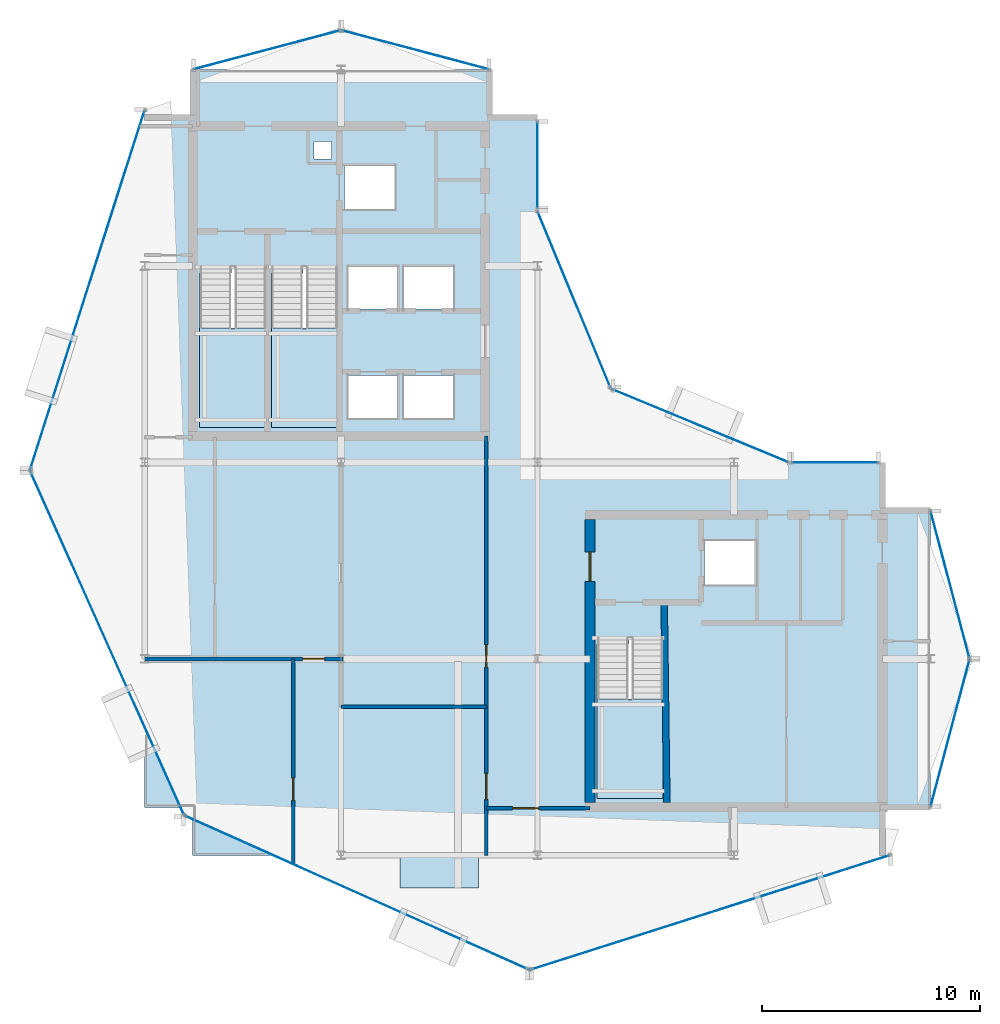
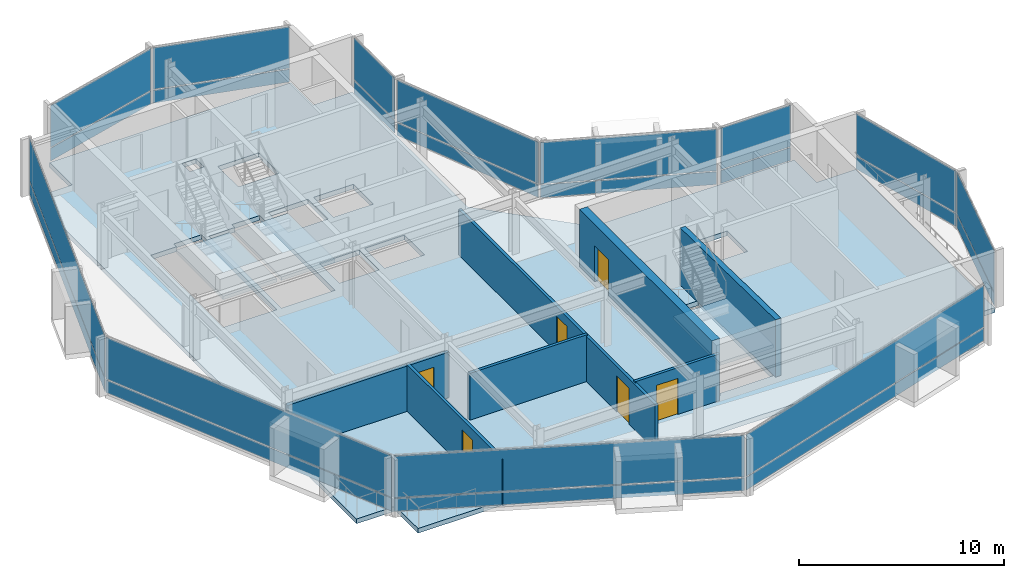
# One storey, part 13 of 19: 24 plates, 7 walls, 6 doors, 5 slabs, 6 openings, 15 elements without a shape of their own.
"""IFC4 building model written with IfcOpenShell, lengths in metres."""

from ifc_helpers import new_model, si_unit, direction, frame, frame_2d, origin, origin_2d, place, context, subcontext, project, spatial, polyline, rectangle, outline, extrude, material, layer, layer_set, type_object, element, fill, aggregate, save


model = new_model("IFC4")

# Units and contexts
model_context = context("Model", 3, precision=1e-05, world=origin(), true_north=direction((0.0, 1.0)))
body_context = subcontext(model_context, "Body", "Model", "MODEL_VIEW")
ifc_project = project(units=[si_unit("LENGTHUNIT", "METRE"), si_unit("AREAUNIT", "SQUARE_METRE"), si_unit("VOLUMEUNIT", "CUBIC_METRE"), si_unit("PLANEANGLEUNIT", "RADIAN"), si_unit("MASSUNIT", "GRAM", prefix="KILO")], contexts=[model_context])

# Site, building, storey
site_placement = place(None, origin())
site = spatial("IfcSite", under=ifc_project, at=site_placement, CompositionType="ELEMENT")
building_placement = place(site_placement, origin())
building = spatial("IfcBuilding", under=site, at=building_placement, Name="Solvaryn Broadcast Tower", CompositionType="ELEMENT")
storey_placement = place(building_placement, frame((0.0, 0.0, 266.699951171875)))
storey = spatial("IfcBuildingStorey", under=building, at=storey_placement, Name="L67", CompositionType="ELEMENT", Elevation=266.699951171875)

# Curtain wall, plates
ifc_material_1 = material(Name="Aluminium and Terracotta Unitised Curtain Wall", Category="masonry")
ifc_layer_1 = layer(ifc_material_1, 0.199951171875)
ifc_layer_set_1 = layer_set([ifc_layer_1], Name="CW-SYS2-LOWMID")
curtain_wall_type_1 = type_object("IfcCurtainWallType", Name="CW-SYS2-LOWMID", PredefinedType="NOTDEFINED", material=ifc_layer_set_1)
curtain_wall_1_placement = place(storey_placement, origin())
curtain_wall_1 = element("IfcCurtainWall", 1, at=curtain_wall_1_placement, inside=storey, type_object=curtain_wall_type_1, Name="L67 Curtain Wall DR1", PredefinedType="NOTDEFINED")
ifc_material_2 = material(Name="Low-Iron Insulated Vision Glass", Category="glass")
ifc_layer_2 = layer(ifc_material_2, 0.035888671875)
ifc_layer_set_2 = layer_set([ifc_layer_2], Name="CW-PNL-VISION")
plate_type = type_object("IfcPlateType", Name="CW-PNL-VISION", PredefinedType="CURTAIN_PANEL", material=ifc_layer_set_2)
plate_1_placement = place(storey_placement, frame((6.368896484375, 34.892578125, 0.06005859375), z_axis=(0.0, 0.0, 1.0), x_axis=(-0.30361564569, -0.952794594701, 0.0)))
plate_1 = element("IfcPlate", 2, at=plate_1_placement, type_object=plate_type, Name="CWS2 panel 1.1", PredefinedType="CURTAIN_PANEL", context=body_context, shape_type="SweptSolid", body=[
    extrude(rectangle(XDim=17.211181640625, YDim=0.028076171875, at=origin_2d()), origin(), (0.0, 0.0, 1.0), 0.760009765625),
])
plate_2_placement = place(storey_placement, frame((6.368896484375, 34.892578125, 0.880126953125), z_axis=(0.0, 0.0, 1.0), x_axis=(-0.30361564569, -0.952794594701, 0.0)))
plate_2 = element("IfcPlate", 3, at=plate_2_placement, type_object=plate_type, Name="CWS2 panel 1.2", PredefinedType="CURTAIN_PANEL", context=body_context, shape_type="SweptSolid", body=[
    extrude(rectangle(XDim=17.211181640625, YDim=0.028076171875, at=origin_2d()), origin(), (0.0, 0.0, 1.0), 2.47998046875),
])
aggregate(curtain_wall_1, [plate_1, plate_2])

ifc_material_3 = material(Name="Aluminium and Terracotta Unitised Curtain Wall", Category="masonry")
ifc_layer_3 = layer(ifc_material_3, 0.239990234375)
ifc_layer_set_3 = layer_set([ifc_layer_3], Name="CW-SYS3-BAYBOX")
curtain_wall_type_2 = type_object("IfcCurtainWallType", Name="CW-SYS3-BAYBOX", PredefinedType="NOTDEFINED", material=ifc_layer_set_3)
curtain_wall_2_placement = place(storey_placement, origin())
curtain_wall_2 = element("IfcCurtainWall", 4, at=curtain_wall_2_placement, inside=storey, type_object=curtain_wall_type_2, Name="L67 Curtain Wall DR2", PredefinedType="NOTDEFINED")
plate_3_placement = place(storey_placement, frame((7.277587890625, 18.7265625, 0.06005859375), z_axis=(0.0, 0.0, 1.0), x_axis=(0.408466010682, -0.912773530574, 0.0)))
plate_3 = element("IfcPlate", 5, at=plate_3_placement, type_object=plate_type, Name="CWS3 panel 1.1", PredefinedType="CURTAIN_PANEL", context=body_context, shape_type="SweptSolid", body=[
    extrude(rectangle(XDim=17.210693359375, YDim=0.028076171875, at=origin_2d()), origin(), (0.0, 0.0, 1.0), 0.760009765625),
])
plate_4_placement = place(storey_placement, frame((7.277587890625, 18.7265625, 0.880126953125), z_axis=(0.0, 0.0, 1.0), x_axis=(0.408466010682, -0.912773530574, 0.0)))
plate_4 = element("IfcPlate", 6, at=plate_4_placement, type_object=plate_type, Name="CWS3 panel 1.2", PredefinedType="CURTAIN_PANEL", context=body_context, shape_type="SweptSolid", body=[
    extrude(rectangle(XDim=17.210693359375, YDim=0.028076171875, at=origin_2d()), origin(), (0.0, 0.0, 1.0), 2.47998046875),
])
aggregate(curtain_wall_2, [plate_3, plate_4])

curtain_wall_3_placement = place(storey_placement, origin())
curtain_wall_3 = element("IfcCurtainWall", 7, at=curtain_wall_3_placement, inside=storey, type_object=curtain_wall_type_1, Name="L67 Curtain Wall DR3", PredefinedType="NOTDEFINED")
plate_5_placement = place(storey_placement, frame((18.7265625, 7.277587890625, 0.06005859375), z_axis=(0.0, 0.0, 1.0), x_axis=(0.912773530574, -0.408466010682, 0.0)))
plate_5 = element("IfcPlate", 8, at=plate_5_placement, type_object=plate_type, Name="CWS2 panel 1.1", PredefinedType="CURTAIN_PANEL", context=body_context, shape_type="SweptSolid", body=[
    extrude(rectangle(XDim=17.210693359375, YDim=0.028076171875, at=origin_2d()), origin(), (0.0, 0.0, 1.0), 0.760009765625),
])
plate_6_placement = place(storey_placement, frame((18.7265625, 7.277587890625, 0.880126953125), z_axis=(0.0, 0.0, 1.0), x_axis=(0.912773530574, -0.408466010682, 0.0)))
plate_6 = element("IfcPlate", 9, at=plate_6_placement, type_object=plate_type, Name="CWS2 panel 1.2", PredefinedType="CURTAIN_PANEL", context=body_context, shape_type="SweptSolid", body=[
    extrude(rectangle(XDim=17.210693359375, YDim=0.028076171875, at=origin_2d()), origin(), (0.0, 0.0, 1.0), 2.47998046875),
])
aggregate(curtain_wall_3, [plate_5, plate_6])

curtain_wall_4_placement = place(storey_placement, origin())
curtain_wall_4 = element("IfcCurtainWall", 10, at=curtain_wall_4_placement, inside=storey, type_object=curtain_wall_type_1, Name="L67 Curtain Wall DR4", PredefinedType="NOTDEFINED")
plate_7_placement = place(storey_placement, frame((34.892578125, 6.368896484375, 0.06005859375), z_axis=(0.0, 0.0, 1.0), x_axis=(0.952794594701, 0.30361564569, 0.0)))
plate_7 = element("IfcPlate", 11, at=plate_7_placement, type_object=plate_type, Name="CWS2 panel 1.1", PredefinedType="CURTAIN_PANEL", context=body_context, shape_type="SweptSolid", body=[
    extrude(rectangle(XDim=17.211181640625, YDim=0.028076171875, at=origin_2d()), origin(), (0.0, 0.0, 1.0), 0.760009765625),
])
plate_8_placement = place(storey_placement, frame((34.892578125, 6.368896484375, 0.880126953125), z_axis=(0.0, 0.0, 1.0), x_axis=(0.952794594701, 0.30361564569, 0.0)))
plate_8 = element("IfcPlate", 12, at=plate_8_placement, type_object=plate_type, Name="CWS2 panel 1.2", PredefinedType="CURTAIN_PANEL", context=body_context, shape_type="SweptSolid", body=[
    extrude(rectangle(XDim=17.211181640625, YDim=0.028076171875, at=origin_2d()), origin(), (0.0, 0.0, 1.0), 2.47998046875),
])
aggregate(curtain_wall_4, [plate_7, plate_8])

curtain_wall_5_placement = place(storey_placement, origin())
curtain_wall_5 = element("IfcCurtainWall", 13, at=curtain_wall_5_placement, inside=storey, type_object=curtain_wall_type_1, Name="L67 Curtain Wall IV", PredefinedType="NOTDEFINED")
plate_9_placement = place(storey_placement, frame((27.0, 40.625, 0.06005859375), z_axis=(0.0, 0.0, 1.0), x_axis=(0.0, -1.0, 0.0)))
plate_9 = element("IfcPlate", 14, at=plate_9_placement, type_object=plate_type, Name="CWS2 panel 1.1", PredefinedType="CURTAIN_PANEL", context=body_context, shape_type="SweptSolid", body=[
    extrude(rectangle(XDim=3.929931640625, YDim=0.028076171875, at=origin_2d()), origin(), (0.0, 0.0, 1.0), 0.760009765625),
])
plate_10_placement = place(storey_placement, frame((27.0, 40.625, 0.880126953125), z_axis=(0.0, 0.0, 1.0), x_axis=(0.0, -1.0, 0.0)))
plate_10 = element("IfcPlate", 15, at=plate_10_placement, type_object=plate_type, Name="CWS2 panel 1.2", PredefinedType="CURTAIN_PANEL", context=body_context, shape_type="SweptSolid", body=[
    extrude(rectangle(XDim=3.929931640625, YDim=0.028076171875, at=origin_2d()), origin(), (0.0, 0.0, 1.0), 2.47998046875),
])
aggregate(curtain_wall_5, [plate_9, plate_10])

curtain_wall_6_placement = place(storey_placement, origin())
curtain_wall_6 = element("IfcCurtainWall", 16, at=curtain_wall_6_placement, inside=storey, type_object=curtain_wall_type_1, Name="L67 Curtain Wall CN1", PredefinedType="NOTDEFINED")
plate_11_placement = place(storey_placement, frame((34.43408203125, 28.68408203125, 0.06005859375), z_axis=(0.0, 0.0, 1.0), x_axis=(-0.923894983957, 0.382646127145, 0.0)))
plate_11 = element("IfcPlate", 17, at=plate_11_placement, type_object=plate_type, Name="CWS2 panel 1.1", PredefinedType="CURTAIN_PANEL", context=body_context, shape_type="SweptSolid", body=[
    extrude(rectangle(XDim=8.681884765625, YDim=0.028076171875, at=origin_2d()), origin(), (0.0, 0.0, 1.0), 0.760009765625),
])
plate_12_placement = place(storey_placement, frame((34.43408203125, 28.68408203125, 0.880126953125), z_axis=(0.0, 0.0, 1.0), x_axis=(-0.923894983957, 0.382646127145, 0.0)))
plate_12 = element("IfcPlate", 18, at=plate_12_placement, type_object=plate_type, Name="CWS2 panel 1.2", PredefinedType="CURTAIN_PANEL", context=body_context, shape_type="SweptSolid", body=[
    extrude(rectangle(XDim=8.681884765625, YDim=0.028076171875, at=origin_2d()), origin(), (0.0, 0.0, 1.0), 2.47998046875),
])
aggregate(curtain_wall_6, [plate_11, plate_12])

curtain_wall_7_placement = place(storey_placement, origin())
curtain_wall_7 = element("IfcCurtainWall", 19, at=curtain_wall_7_placement, inside=storey, type_object=curtain_wall_type_1, Name="L67 Curtain Wall CN2", PredefinedType="NOTDEFINED")
plate_13_placement = place(storey_placement, frame((28.68408203125, 34.43408203125, 0.06005859375), z_axis=(0.0, 0.0, 1.0), x_axis=(-0.382646127145, 0.923894983957, 0.0)))
plate_13 = element("IfcPlate", 20, at=plate_13_placement, type_object=plate_type, Name="CWS2 panel 1.1", PredefinedType="CURTAIN_PANEL", context=body_context, shape_type="SweptSolid", body=[
    extrude(rectangle(XDim=8.681884765625, YDim=0.028076171875, at=origin_2d()), origin(), (0.0, 0.0, 1.0), 0.760009765625),
])
plate_14_placement = place(storey_placement, frame((28.68408203125, 34.43408203125, 0.880126953125), z_axis=(0.0, 0.0, 1.0), x_axis=(-0.382646127145, 0.923894983957, 0.0)))
plate_14 = element("IfcPlate", 21, at=plate_14_placement, type_object=plate_type, Name="CWS2 panel 1.2", PredefinedType="CURTAIN_PANEL", context=body_context, shape_type="SweptSolid", body=[
    extrude(rectangle(XDim=8.681884765625, YDim=0.028076171875, at=origin_2d()), origin(), (0.0, 0.0, 1.0), 2.47998046875),
])
aggregate(curtain_wall_7, [plate_13, plate_14])

curtain_wall_8_placement = place(storey_placement, origin())
curtain_wall_8 = element("IfcCurtainWall", 22, at=curtain_wall_8_placement, inside=storey, type_object=curtain_wall_type_1, Name="L67 Curtain Wall NT1", PredefinedType="NOTDEFINED")
plate_15_placement = place(storey_placement, frame((21.39990234375, 45.89990234375, 0.06005859375), z_axis=(0.0, 0.0, 1.0), x_axis=(-0.966705227863, 0.25589256031, 0.0)))
plate_15 = element("IfcPlate", 23, at=plate_15_placement, type_object=plate_type, Name="CWS2 panel 1.1", PredefinedType="CURTAIN_PANEL", context=body_context, shape_type="SweptSolid", body=[
    extrude(rectangle(XDim=6.914306640625, YDim=0.028076171875, at=origin_2d()), origin(), (0.0, 0.0, 1.0), 0.760009765625),
])
plate_16_placement = place(storey_placement, frame((21.39990234375, 45.89990234375, 0.880126953125), z_axis=(0.0, 0.0, 1.0), x_axis=(-0.966705227863, 0.25589256031, 0.0)))
plate_16 = element("IfcPlate", 24, at=plate_16_placement, type_object=plate_type, Name="CWS2 panel 1.2", PredefinedType="CURTAIN_PANEL", context=body_context, shape_type="SweptSolid", body=[
    extrude(rectangle(XDim=6.914306640625, YDim=0.028076171875, at=origin_2d()), origin(), (0.0, 0.0, 1.0), 2.47998046875),
])
aggregate(curtain_wall_8, [plate_15, plate_16])

curtain_wall_9_placement = place(storey_placement, origin())
curtain_wall_9 = element("IfcCurtainWall", 25, at=curtain_wall_9_placement, inside=storey, type_object=curtain_wall_type_1, Name="L67 Curtain Wall NT2", PredefinedType="NOTDEFINED")
plate_17_placement = place(storey_placement, frame((14.60009765625, 45.89990234375, 0.06005859375), z_axis=(0.0, 0.0, 1.0), x_axis=(-0.966705227863, -0.25589256031, 0.0)))
plate_17 = element("IfcPlate", 26, at=plate_17_placement, type_object=plate_type, Name="CWS2 panel 1.1", PredefinedType="CURTAIN_PANEL", context=body_context, shape_type="SweptSolid", body=[
    extrude(rectangle(XDim=6.914306640625, YDim=0.028076171875, at=origin_2d()), origin(), (0.0, 0.0, 1.0), 0.760009765625),
])
plate_18_placement = place(storey_placement, frame((14.60009765625, 45.89990234375, 0.880126953125), z_axis=(0.0, 0.0, 1.0), x_axis=(-0.966705227863, -0.25589256031, 0.0)))
plate_18 = element("IfcPlate", 27, at=plate_18_placement, type_object=plate_type, Name="CWS2 panel 1.2", PredefinedType="CURTAIN_PANEL", context=body_context, shape_type="SweptSolid", body=[
    extrude(rectangle(XDim=6.914306640625, YDim=0.028076171875, at=origin_2d()), origin(), (0.0, 0.0, 1.0), 2.47998046875),
])
aggregate(curtain_wall_9, [plate_17, plate_18])

curtain_wall_10_placement = place(storey_placement, origin())
curtain_wall_10 = element("IfcCurtainWall", 28, at=curtain_wall_10_placement, inside=storey, type_object=curtain_wall_type_1, Name="L67 Curtain Wall ET1", PredefinedType="NOTDEFINED")
plate_19_placement = place(storey_placement, frame((45.89990234375, 21.39990234375, 0.06005859375), z_axis=(0.0, 0.0, 1.0), x_axis=(0.25589256031, -0.966705227863, 0.0)))
plate_19 = element("IfcPlate", 29, at=plate_19_placement, type_object=plate_type, Name="CWS2 panel 1.1", PredefinedType="CURTAIN_PANEL", context=body_context, shape_type="SweptSolid", body=[
    extrude(rectangle(XDim=6.914306640625, YDim=0.028076171875, at=origin_2d()), origin(), (0.0, 0.0, 1.0), 0.760009765625),
])
plate_20_placement = place(storey_placement, frame((45.89990234375, 21.39990234375, 0.880126953125), z_axis=(0.0, 0.0, 1.0), x_axis=(0.25589256031, -0.966705227863, 0.0)))
plate_20 = element("IfcPlate", 30, at=plate_20_placement, type_object=plate_type, Name="CWS2 panel 1.2", PredefinedType="CURTAIN_PANEL", context=body_context, shape_type="SweptSolid", body=[
    extrude(rectangle(XDim=6.914306640625, YDim=0.028076171875, at=origin_2d()), origin(), (0.0, 0.0, 1.0), 2.47998046875),
])
aggregate(curtain_wall_10, [plate_19, plate_20])

curtain_wall_11_placement = place(storey_placement, origin())
curtain_wall_11 = element("IfcCurtainWall", 31, at=curtain_wall_11_placement, inside=storey, type_object=curtain_wall_type_1, Name="L67 Curtain Wall ET2", PredefinedType="NOTDEFINED")
plate_21_placement = place(storey_placement, frame((45.89990234375, 14.60009765625, 0.06005859375), z_axis=(0.0, 0.0, 1.0), x_axis=(-0.25589256031, -0.966705227863, 0.0)))
plate_21 = element("IfcPlate", 32, at=plate_21_placement, type_object=plate_type, Name="CWS2 panel 1.1", PredefinedType="CURTAIN_PANEL", context=body_context, shape_type="SweptSolid", body=[
    extrude(rectangle(XDim=6.914306640625, YDim=0.028076171875, at=origin_2d()), origin(), (0.0, 0.0, 1.0), 0.760009765625),
])
plate_22_placement = place(storey_placement, frame((45.89990234375, 14.60009765625, 0.880126953125), z_axis=(0.0, 0.0, 1.0), x_axis=(-0.25589256031, -0.966705227863, 0.0)))
plate_22 = element("IfcPlate", 33, at=plate_22_placement, type_object=plate_type, Name="CWS2 panel 1.2", PredefinedType="CURTAIN_PANEL", context=body_context, shape_type="SweptSolid", body=[
    extrude(rectangle(XDim=6.914306640625, YDim=0.028076171875, at=origin_2d()), origin(), (0.0, 0.0, 1.0), 2.47998046875),
])
aggregate(curtain_wall_11, [plate_21, plate_22])

curtain_wall_12_placement = place(storey_placement, origin())
curtain_wall_12 = element("IfcCurtainWall", 34, at=curtain_wall_12_placement, inside=storey, type_object=curtain_wall_type_1, Name="L67 Curtain Wall IH", PredefinedType="NOTDEFINED")
plate_23_placement = place(storey_placement, frame((40.625, 27.0, 0.06005859375), z_axis=(0.0, 0.0, 1.0), x_axis=(1.0, 0.0, 0.0)))
plate_23 = element("IfcPlate", 35, at=plate_23_placement, type_object=plate_type, Name="CWS2 panel 1.1", PredefinedType="CURTAIN_PANEL", context=body_context, shape_type="SweptSolid", body=[
    extrude(rectangle(XDim=3.929931640625, YDim=0.028076171875, at=origin_2d()), origin(), (0.0, 0.0, 1.0), 0.760009765625),
])
plate_24_placement = place(storey_placement, frame((40.625, 27.0, 0.880126953125), z_axis=(0.0, 0.0, 1.0), x_axis=(1.0, 0.0, 0.0)))
plate_24 = element("IfcPlate", 36, at=plate_24_placement, type_object=plate_type, Name="CWS2 panel 1.2", PredefinedType="CURTAIN_PANEL", context=body_context, shape_type="SweptSolid", body=[
    extrude(rectangle(XDim=3.929931640625, YDim=0.028076171875, at=origin_2d()), origin(), (0.0, 0.0, 1.0), 2.47998046875),
])
aggregate(curtain_wall_12, [plate_23, plate_24])

# Slab
ifc_material_4 = material(Name="Concrete f'c 60 MPa", Category="concrete")
ifc_layer_4 = layer(ifc_material_4, 0.2099609375)
ifc_layer_set_4 = layer_set([ifc_layer_4], Name="SL-BAYBOX-210")
slab_type_1 = type_object("IfcSlabType", Name="SL-BAYBOX-210", PredefinedType="FLOOR", material=ifc_layer_set_4)
slab_1_placement = place(storey_placement, frame((0.0, 0.0, -0.2099609375)))
element("IfcSlab", 37, at=slab_1_placement, inside=storey, type_object=slab_type_1, Name="L67 Projecting Bay-Box Slab 1", PredefinedType="FLOOR", context=body_context, shape_type="SweptSolid", body=[
    extrude(outline(polyline([(20.699951171875, 7.5), (24.300048828125, 7.5), (24.300048828125, 9.0), (20.699951171875, 9.0), (20.699951171875, 7.5)])), origin(), (0.0, 0.0, 1.0), 0.2099609375),
])

# Stair, slab
ifc_material_5 = material(Name="Concrete f'c 60 MPa", Category="concrete")
stair_type = type_object("IfcStairType", Name="ST-CORE", PredefinedType="HALF_TURN_STAIR", material=ifc_material_5)
stair_1_placement = place(storey_placement, origin())
stair_1 = element("IfcStair", 38, at=stair_1_placement, inside=storey, type_object=stair_type, Name="L67 ST1", PredefinedType="HALF_TURN_STAIR")
ifc_material_6 = material(Name="Concrete f'c 60 MPa", Category="concrete")
ifc_layer_5 = layer(ifc_material_6, 0.199951171875)
ifc_layer_set_5 = layer_set([ifc_layer_5], Name="SL-LANDING-200")
slab_type_2 = type_object("IfcSlabType", Name="SL-LANDING-200", PredefinedType="LANDING", material=ifc_layer_set_5)
slab_2_placement = place(storey_placement, frame((0.0, 0.0, 1.650146484375)))
slab_2 = element("IfcSlab", 39, at=slab_2_placement, type_object=slab_type_2, Name="ST1 landing 1", PredefinedType="LANDING", context=body_context, shape_type="SweptSolid", body=[
    extrude(outline(polyline([(11.52001953125, 33.159912109375), (11.52001953125, 28.60009765625), (14.550048828125, 28.60009765625), (14.550048828125, 33.159912109375), (11.52001953125, 33.159912109375)])), origin(), (0.0, 0.0, 1.0), 0.199951171875),
])
aggregate(stair_1, [slab_2])

stair_2_placement = place(storey_placement, origin())
stair_2 = element("IfcStair", 40, at=stair_2_placement, inside=storey, type_object=stair_type, Name="L67 ST2", PredefinedType="HALF_TURN_STAIR")
slab_3_placement = place(storey_placement, frame((0.0, 0.0, 1.650146484375)))
slab_3 = element("IfcSlab", 41, at=slab_3_placement, type_object=slab_type_2, Name="ST2 landing 1", PredefinedType="LANDING", context=body_context, shape_type="SweptSolid", body=[
    extrude(outline(polyline([(14.800048828125, 33.159912109375), (14.800048828125, 28.60009765625), (17.830078125, 28.60009765625), (17.830078125, 33.159912109375), (14.800048828125, 33.159912109375)])), origin(), (0.0, 0.0, 1.0), 0.199951171875),
])
aggregate(stair_2, [slab_3])

stair_3_placement = place(storey_placement, origin())
stair_3 = element("IfcStair", 42, at=stair_3_placement, inside=storey, type_object=stair_type, Name="L67 ST3", PredefinedType="HALF_TURN_STAIR")
slab_4_placement = place(storey_placement, frame((0.0, 0.0, 1.650146484375)))
slab_4 = element("IfcSlab", 43, at=slab_4_placement, type_object=slab_type_2, Name="ST3 landing 1", PredefinedType="LANDING", context=body_context, shape_type="SweptSolid", body=[
    extrude(outline(polyline([(29.719970703125, 16.159912109375), (29.719970703125, 11.60009765625), (32.75, 11.60009765625), (32.75, 16.159912109375), (29.719970703125, 16.159912109375)])), origin(), (0.0, 0.0, 1.0), 0.199951171875),
])
aggregate(stair_3, [slab_4])

# Slab
ifc_material_7 = material(Name="Concrete f'c 60 MPa", Category="concrete")
ifc_layer_6 = layer(ifc_material_7, 0.280029296875)
ifc_layer_set_6 = layer_set([ifc_layer_6], Name="SL-TWR-280")
slab_type_3 = type_object("IfcSlabType", Name="SL-TWR-280", PredefinedType="FLOOR", material=ifc_layer_set_6)
slab_5_placement = place(storey_placement, frame((0.0, 0.0, -0.280029296875)))
element("IfcSlab", 44, at=slab_5_placement, inside=storey, type_object=slab_type_3, Name="L67 Structural Floor Slab", PredefinedType="FLOOR", context=body_context, shape_type="SweptSolid", body=[
    extrude(outline(polyline([(11.199951171875, 9.0), (42.800048828125, 9.0), (42.800048828125, 11.199951171875), (45.0, 11.199951171875), (45.0, 24.800048828125), (42.800048828125, 24.800048828125), (42.800048828125, 27.0), (31.5, 27.0), (27.0, 31.5), (27.0, 42.800048828125), (24.800048828125, 42.800048828125), (24.800048828125, 45.0), (11.199951171875, 45.0), (11.199951171875, 42.800048828125), (9.0, 42.800048828125), (9.0, 11.199951171875), (11.199951171875, 11.199951171875), (11.199951171875, 9.0)]), holes=[polyline([(11.52001953125, 28.60009765625), (14.550048828125, 28.60009765625), (14.550048828125, 35.9599609375), (12.97998046875, 35.9599609375), (12.97998046875, 35.679931640625), (11.52001953125, 35.679931640625), (11.52001953125, 28.60009765625)]), polyline([(14.800048828125, 28.60009765625), (17.830078125, 28.60009765625), (17.830078125, 35.9599609375), (16.260009765625, 35.9599609375), (16.260009765625, 35.679931640625), (14.800048828125, 35.679931640625), (14.800048828125, 28.60009765625)]), polyline([(29.719970703125, 11.60009765625), (32.75, 11.60009765625), (32.75, 18.9599609375), (31.179931640625, 18.9599609375), (31.179931640625, 18.679931640625), (29.719970703125, 18.679931640625), (29.719970703125, 11.60009765625)]), polyline([(18.14990234375, 38.60009765625), (20.449951171875, 38.60009765625), (20.449951171875, 40.60009765625), (18.14990234375, 40.60009765625), (18.14990234375, 38.60009765625)]), polyline([(18.324951171875, 29.02490234375), (20.574951171875, 29.02490234375), (20.574951171875, 30.97509765625), (18.324951171875, 30.97509765625), (18.324951171875, 29.02490234375)]), polyline([(20.875, 29.02490234375), (23.125, 29.02490234375), (23.125, 30.97509765625), (20.875, 30.97509765625), (20.875, 29.02490234375)]), polyline([(18.324951171875, 34.02490234375), (20.574951171875, 34.02490234375), (20.574951171875, 35.97509765625), (18.324951171875, 35.97509765625), (18.324951171875, 34.02490234375)]), polyline([(20.875, 34.02490234375), (23.125, 34.02490234375), (23.125, 35.97509765625), (20.875, 35.97509765625), (20.875, 34.02490234375)]), polyline([(34.64990234375, 21.39990234375), (36.949951171875, 21.39990234375), (36.949951171875, 23.39990234375), (34.64990234375, 23.39990234375), (34.64990234375, 21.39990234375)]), polyline([(16.75, 40.89990234375), (17.550048828125, 40.89990234375), (17.550048828125, 41.699951171875), (16.75, 41.699951171875), (16.75, 40.89990234375)])]), origin(), (0.0, 0.0, 1.0), 0.280029296875),
])

# Wall, opening, door
ifc_material_8 = material(Name="Concrete f'c 70 MPa", Category="concrete")
ifc_layer_7 = layer(ifc_material_8, 0.449951171875)
ifc_layer_set_7 = layer_set([ifc_layer_7], Name="CW-SHEAR-450")
wall_type_1 = type_object("IfcWallType", Name="CW-SHEAR-450", PredefinedType="SHEAR", material=ifc_layer_set_7)
wall_1_placement = place(storey_placement, frame((29.39990234375, 24.375, 0.0), z_axis=(0.0, 0.0, 1.0), x_axis=(0.0, -1.0, 0.0)))
wall_1 = element("IfcWall", 45, at=wall_1_placement, inside=storey, type_object=wall_type_1, Name="L67 East Core West Shear Wall", PredefinedType="SHEAR", context=body_context, shape_type="SweptSolid", body=[
    extrude(rectangle(XDim=12.949951171875, YDim=0.449951171875, at=frame_2d((6.47509765625, 0.0))), origin(), (0.0, 0.0, 1.0), 3.420166015625),
])
opening_1_placement = place(wall_1_placement, frame((1.47509765625, 0.0, 0.0)))
opening_1 = element("IfcOpeningElement", 46, at=opening_1_placement, cuts=wall_1, Name="Opening FD90B", PredefinedType="OPENING", context=body_context, shape_type="SweptSolid", body=[
    extrude(rectangle(XDim=1.35009765625, YDim=2.14990234375, at=frame_2d((0.675048828125, 1.074951171875))), frame((0.0, 0.235107421875, 0.0), z_axis=(0.0, -1.0, 0.0), x_axis=(1.0, 0.0, 0.0)), (0.0, 0.0, 1.0), 0.469970703125),
])
ifc_material_9 = material(Name="Flush Acoustic Steel and Timber Door Assembly", Category="steel")
door_type_1 = type_object("IfcDoorType", Name="FD90-LOBBY-1350X2150", OperationType="NOTDEFINED", PredefinedType="DOOR", material=ifc_material_9)
door_1_placement = place(opening_1_placement, origin())
door_1 = element("IfcDoor", 47, at=door_1_placement, inside=storey, type_object=door_type_1, Name="L67 East FSAE Lobby Door", OperationType="SINGLE_SWING_RIGHT", OverallHeight=2.14990234375, OverallWidth=1.35009765625, PredefinedType="DOOR", context=body_context, shape_type="SweptSolid", body=[
    extrude(rectangle(XDim=1.35009765625, YDim=2.14990234375, at=frame_2d((0.675048828125, 1.074951171875))), frame((0.0, 0.02490234375, 0.0), z_axis=(0.0, -1.0, 0.0), x_axis=(1.0, 0.0, 0.0)), (0.0, 0.0, 1.0), 0.050048828125),
])
fill(opening_1, door_1)

# Wall, openings, doors
ifc_material_10 = material(Name="Metal-Stud Gypsum Office Partition")
ifc_layer_8 = layer(ifc_material_10, 0.159912109375)
ifc_layer_set_8 = layer_set([ifc_layer_8], Name="IW-PART-160")
wall_type_2 = type_object("IfcWallType", Name="IW-PART-160", PredefinedType="PARTITIONING", material=ifc_layer_set_8)
wall_2_placement = place(storey_placement, frame((24.64990234375, 9.0, 0.0), z_axis=(0.0, 0.0, 1.0), x_axis=(0.0, 1.0, 0.0)))
wall_2 = element("IfcWall", 48, at=wall_2_placement, inside=storey, type_object=wall_type_2, Name="L67 Interior Partition IW-L67-SW-EB", PredefinedType="PARTITIONING", context=body_context, shape_type="SweptSolid", body=[
    extrude(rectangle(XDim=19.199951171875, YDim=0.159912109375, at=frame_2d((9.60009765625, 0.0))), origin(), (0.0, 0.0, 1.0), 2.70703125),
])
opening_2_placement = place(wall_2_placement, frame((8.60009765625, 0.0, 0.0)))
opening_2 = element("IfcOpeningElement", 49, at=opening_2_placement, cuts=wall_2, Name="Opening ID03", PredefinedType="OPENING", context=body_context, shape_type="SweptSolid", body=[
    extrude(rectangle(XDim=1.050048828125, YDim=2.14990234375, at=frame_2d((0.52490234375, 1.074951171875))), frame((0.0, 0.090087890625, 0.0), z_axis=(0.0, -1.0, 0.0), x_axis=(1.0, 0.0, 0.0)), (0.0, 0.0, 1.0), 0.179931640625),
])
opening_3_placement = place(wall_2_placement, frame((2.550048828125, 0.0, 0.0)))
opening_3 = element("IfcOpeningElement", 50, at=opening_3_placement, cuts=wall_2, Name="Opening ID04", PredefinedType="OPENING", context=body_context, shape_type="SweptSolid", body=[
    extrude(rectangle(XDim=1.199951171875, YDim=2.14990234375, at=frame_2d((0.60009765625, 1.074951171875))), frame((0.0, 0.090087890625, 0.0), z_axis=(0.0, -1.0, 0.0), x_axis=(1.0, 0.0, 0.0)), (0.0, 0.0, 1.0), 0.179931640625),
])
ifc_material_11 = material(Name="Flush Acoustic Steel and Timber Door Assembly", Category="steel")
door_type_2 = type_object("IfcDoorType", Name="ID-03-1050X2150", OperationType="NOTDEFINED", PredefinedType="DOOR", material=ifc_material_11)
door_2_placement = place(opening_2_placement, origin())
door_2 = element("IfcDoor", 51, at=door_2_placement, inside=storey, type_object=door_type_2, Name="L67 Door DR-L67-SWL-E1", OperationType="SINGLE_SWING_RIGHT", OverallHeight=2.14990234375, OverallWidth=1.050048828125, PredefinedType="DOOR", context=body_context, shape_type="SweptSolid", body=[
    extrude(rectangle(XDim=1.050048828125, YDim=2.14990234375, at=frame_2d((0.52490234375, 1.074951171875))), frame((0.0, 0.02490234375, 0.0), z_axis=(0.0, -1.0, 0.0), x_axis=(1.0, 0.0, 0.0)), (0.0, 0.0, 1.0), 0.050048828125),
])
fill(opening_2, door_2)
ifc_material_12 = material(Name="Flush Acoustic Steel and Timber Door Assembly", Category="steel")
door_type_3 = type_object("IfcDoorType", Name="ID-04-1200X2150", OperationType="NOTDEFINED", PredefinedType="DOOR", material=ifc_material_12)
door_3_placement = place(opening_3_placement, origin())
door_3 = element("IfcDoor", 52, at=door_3_placement, inside=storey, type_object=door_type_3, Name="L67 Door DR-L67-SWL-E2", OperationType="SINGLE_SWING_LEFT", OverallHeight=2.14990234375, OverallWidth=1.199951171875, PredefinedType="DOOR", context=body_context, shape_type="SweptSolid", body=[
    extrude(rectangle(XDim=1.199951171875, YDim=2.14990234375, at=frame_2d((0.60009765625, 1.074951171875))), frame((0.0, 0.02490234375, 0.0), z_axis=(0.0, -1.0, 0.0), x_axis=(1.0, 0.0, 0.0)), (0.0, 0.0, 1.0), 0.050048828125),
])
fill(opening_3, door_3)

# Wall
wall_3_placement = place(storey_placement, frame((18.0, 15.800048828125, 0.0), z_axis=(0.0, 0.0, 1.0), x_axis=(1.0, 0.0, 0.0)))
element("IfcWall", 53, at=wall_3_placement, inside=storey, type_object=wall_type_2, Name="L67 Interior Partition IW-L67-SW-RH", PredefinedType="PARTITIONING", context=body_context, shape_type="SweptSolid", body=[
    extrude(rectangle(XDim=6.64990234375, YDim=0.159912109375, at=frame_2d((3.324951171875, 0.0))), origin(), (0.0, 0.0, 1.0), 2.7919921875),
])

# Wall, opening, door
wall_4_placement = place(storey_placement, frame((15.800048828125, 8.5869140625, 0.0), z_axis=(0.0, 0.0, 1.0), x_axis=(0.0, 1.0, 0.0)))
wall_4 = element("IfcWall", 54, at=wall_4_placement, inside=storey, type_object=wall_type_2, Name="L67 Interior Partition IW-L67-SW-SWV", PredefinedType="PARTITIONING", context=body_context, shape_type="SweptSolid", body=[
    extrude(rectangle(XDim=9.4130859375, YDim=0.159912109375, at=frame_2d((4.70654296875, 0.0))), origin(), (0.0, 0.0, 1.0), 2.7890625),
])
opening_4_placement = place(wall_4_placement, frame((2.9130859375, 0.0, 0.0)))
opening_4 = element("IfcOpeningElement", 55, at=opening_4_placement, cuts=wall_4, Name="Opening ID03", PredefinedType="OPENING", context=body_context, shape_type="SweptSolid", body=[
    extrude(rectangle(XDim=1.050048828125, YDim=2.14990234375, at=frame_2d((0.52490234375, 1.074951171875))), frame((0.0, 0.090087890625, 0.0), z_axis=(0.0, -1.0, 0.0), x_axis=(1.0, 0.0, 0.0)), (0.0, 0.0, 1.0), 0.179931640625),
])
door_4_placement = place(opening_4_placement, origin())
door_4 = element("IfcDoor", 56, at=door_4_placement, inside=storey, type_object=door_type_2, Name="L67 Door DR-L67-SWL-SW", OperationType="SINGLE_SWING_LEFT", OverallHeight=2.14990234375, OverallWidth=1.050048828125, PredefinedType="DOOR", context=body_context, shape_type="SweptSolid", body=[
    extrude(rectangle(XDim=1.050048828125, YDim=2.14990234375, at=frame_2d((0.52490234375, 1.074951171875))), frame((0.0, 0.02490234375, 0.0), z_axis=(0.0, -1.0, 0.0), x_axis=(1.0, 0.0, 0.0)), (0.0, 0.0, 1.0), 0.050048828125),
])
fill(opening_4, door_4)

wall_5_placement = place(storey_placement, frame((24.64990234375, 11.14990234375, 0.0), z_axis=(0.0, 0.0, 1.0), x_axis=(1.0, 0.0, 0.0)))
wall_5 = element("IfcWall", 57, at=wall_5_placement, inside=storey, type_object=wall_type_2, Name="L67 Interior Partition IW-L67-SC-N", PredefinedType="PARTITIONING", context=body_context, shape_type="SweptSolid", body=[
    extrude(rectangle(XDim=4.75, YDim=0.159912109375, at=frame_2d((2.375, 0.0))), origin(), (0.0, 0.0, 1.0), 2.7919921875),
])
opening_5_placement = place(wall_5_placement, frame((1.199951171875, 0.0, 0.0)))
opening_5 = element("IfcOpeningElement", 58, at=opening_5_placement, cuts=wall_5, Name="Opening ID04", PredefinedType="OPENING", context=body_context, shape_type="SweptSolid", body=[
    extrude(rectangle(XDim=1.199951171875, YDim=2.14990234375, at=frame_2d((0.60009765625, 1.074951171875))), frame((0.0, 0.090087890625, 0.0), z_axis=(0.0, -1.0, 0.0), x_axis=(1.0, 0.0, 0.0)), (0.0, 0.0, 1.0), 0.179931640625),
])
door_5_placement = place(opening_5_placement, origin())
door_5 = element("IfcDoor", 59, at=door_5_placement, inside=storey, type_object=door_type_3, Name="L67 Door DR-L67-SC0", OperationType="SINGLE_SWING_RIGHT", OverallHeight=2.14990234375, OverallWidth=1.199951171875, PredefinedType="DOOR", context=body_context, shape_type="SweptSolid", body=[
    extrude(rectangle(XDim=1.199951171875, YDim=2.14990234375, at=frame_2d((0.60009765625, 1.074951171875))), frame((0.0, 0.02490234375, 0.0), z_axis=(0.0, -1.0, 0.0), x_axis=(1.0, 0.0, 0.0)), (0.0, 0.0, 1.0), 0.050048828125),
])
fill(opening_5, door_5)

ifc_material_13 = material(Name="Acoustic Metal-Stud Gypsum Partition")
ifc_layer_9 = layer(ifc_material_13, 0.179931640625)
ifc_layer_set_9 = layer_set([ifc_layer_9], Name="IW-PART-180")
wall_type_3 = type_object("IfcWallType", Name="IW-PART-180", PredefinedType="PARTITIONING", material=ifc_layer_set_9)
wall_6_placement = place(storey_placement, frame((9.0, 18.0, 0.0), z_axis=(0.0, 0.0, 1.0), x_axis=(1.0, 0.0, 0.0)))
wall_6 = element("IfcWall", 60, at=wall_6_placement, inside=storey, type_object=wall_type_3, Name="L67 Interior Partition IW-L67-SW-LH", PredefinedType="PARTITIONING", context=body_context, shape_type="SweptSolid", body=[
    extrude(rectangle(XDim=9.080078125, YDim=0.179931640625, at=frame_2d((4.5400390625, 0.0))), origin(), (0.0, 0.0, 1.0), 2.70703125),
])
opening_6_placement = place(wall_6_placement, frame((7.239990234375, 0.0, 0.0)))
opening_6 = element("IfcOpeningElement", 61, at=opening_6_placement, cuts=wall_6, Name="Opening ID02", PredefinedType="OPENING", context=body_context, shape_type="SweptSolid", body=[
    extrude(rectangle(XDim=1.0, YDim=2.10009765625, at=frame_2d((0.5, 1.050048828125))), frame((0.0, 0.099853515625, 0.0), z_axis=(0.0, -1.0, 0.0), x_axis=(1.0, 0.0, 0.0)), (0.0, 0.0, 1.0), 0.199951171875),
])
ifc_material_14 = material(Name="Flush Acoustic Steel and Timber Door Assembly", Category="steel")
door_type_4 = type_object("IfcDoorType", Name="ID-02-1000X2100", OperationType="NOTDEFINED", PredefinedType="DOOR", material=ifc_material_14)
door_6_placement = place(opening_6_placement, origin())
door_6 = element("IfcDoor", 62, at=door_6_placement, inside=storey, type_object=door_type_4, Name="L67 Door DR-L67-SWL-LH", OperationType="SINGLE_SWING_RIGHT", OverallHeight=2.10009765625, OverallWidth=1.0, PredefinedType="DOOR", context=body_context, shape_type="SweptSolid", body=[
    extrude(rectangle(XDim=1.0, YDim=2.10009765625, at=frame_2d((0.5, 1.050048828125))), frame((0.0, 0.02490234375, 0.0), z_axis=(0.0, -1.0, 0.0), x_axis=(1.0, 0.0, 0.0)), (0.0, 0.0, 1.0), 0.050048828125),
])
fill(opening_6, door_6)

# Wall
ifc_material_15 = material(Name="Concrete f'c 70 MPa", Category="concrete")
ifc_layer_10 = layer(ifc_material_15, 0.300048828125)
ifc_layer_set_10 = layer_set([ifc_layer_10], Name="SW-SHAFT-300")
wall_type_4 = type_object("IfcWallType", Name="SW-SHAFT-300", PredefinedType="SHEAR", material=ifc_layer_set_10)
wall_7_placement = place(storey_placement, frame((32.919921875, 11.425048828125, 0.0), z_axis=(0.0, 0.0, 1.0), x_axis=(-0.013135638869, 0.999913723774, 0.0)))
element("IfcWall", 63, at=wall_7_placement, inside=storey, type_object=wall_type_4, Name="L67 Stair 3 East Shear Wall", PredefinedType="SHEAR", context=body_context, shape_type="SweptSolid", body=[
    extrude(rectangle(XDim=9.125732421875, YDim=0.300048828125, at=frame_2d((4.56298828125, 0.0))), origin(), (0.0, 0.0, 1.0), 3.420166015625),
])

save(model, "model.ifc")
